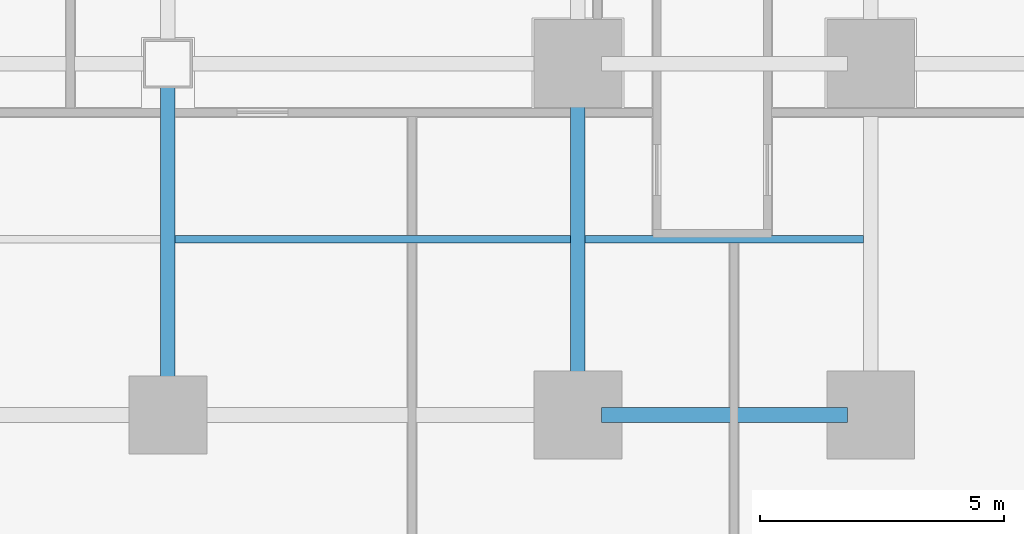
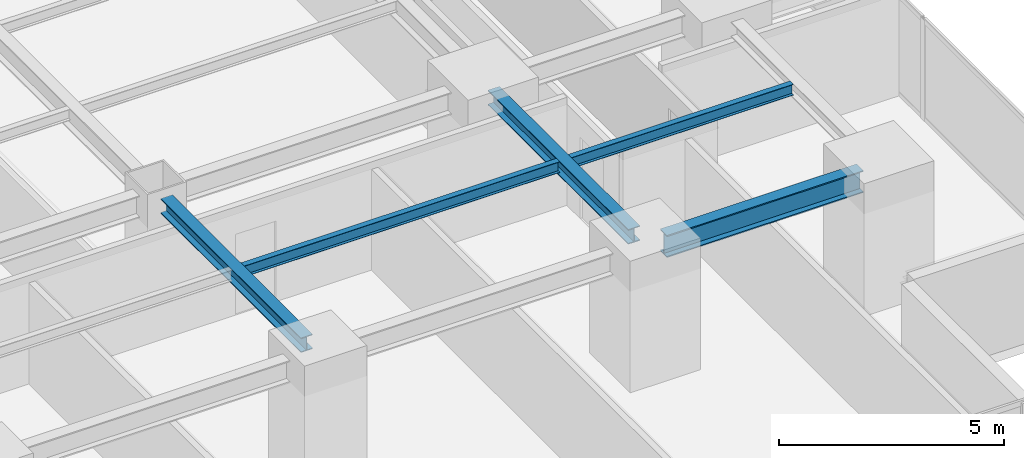
# One storey, part 12 of 34: 5 beams.
"""IFC4 building model written with IfcOpenShell, lengths in metres."""

from ifc_helpers import new_model, si_unit, direction, frame, origin, origin_2d, place, context, subcontext, project, spatial, i_section, extrude, source, transform, mapped, material, material_profile, profile_set, type_object, element, save


model = new_model("IFC4")

# Units and contexts
model_context = context("Model", 3, precision=1e-05, world=origin(), true_north=direction((0.0, 1.0)))
body_context = subcontext(model_context, "Body", "Model", "MODEL_VIEW")
ifc_project = project(units=[si_unit("LENGTHUNIT", "METRE"), si_unit("AREAUNIT", "SQUARE_METRE"), si_unit("VOLUMEUNIT", "CUBIC_METRE"), si_unit("PLANEANGLEUNIT", "RADIAN"), si_unit("MASSUNIT", "GRAM", prefix="KILO")], contexts=[model_context])

# Site, building, storey
site_placement = place(None, origin())
site = spatial("IfcSite", under=ifc_project, at=site_placement, CompositionType="ELEMENT")
building_placement = place(site_placement, origin())
building = spatial("IfcBuilding", under=site, at=building_placement, Name="Sumidabori Civic Tower", CompositionType="ELEMENT")
storey_placement = place(building_placement, frame((0.0, 0.0, 56.0)))
storey = spatial("IfcBuildingStorey", under=building, at=storey_placement, Name="L14", CompositionType="ELEMENT", Elevation=56.0)

# Beams
ifc_material = material(Name="Steel SN490", Category="steel")
ifc_material_profile_1 = material_profile(ifc_material, i_section(OverallWidth=0.300048828125, OverallDepth=0.60009765625, WebThickness=0.015380859375, FlangeThickness=0.030029296875, at=origin_2d()), Name="HE 600 B")
ifc_profile_set_1 = profile_set([ifc_material_profile_1], Name="Steel SN490")
beam_type_1 = type_object("IfcBeamType", Name="BM-GIRD-600", PredefinedType="BEAM", material=ifc_profile_set_1)
shared_shape_1 = source(origin(), body_context, "Body", "SweptSolid", [
    extrude(i_section(OverallWidth=0.300048828125, OverallDepth=0.60009765625, WebThickness=0.015380859375, FlangeThickness=0.030029296875, at=origin_2d()), origin(), (0.0, 0.0, 1.0), 5.0400390625),
])
beam_1_placement = place(storey_placement, frame((17.280029296875, -18.0, 3.06005859375), z_axis=(1.0, 0.0, 0.0), x_axis=(0.0, 1.0, 0.0)))
element("IfcBeam", 1, at=beam_1_placement, inside=storey, type_object=beam_type_1, Name="Primary Girder L14 GX-06", PredefinedType="BEAM", context=body_context, shape_type="MappedRepresentation", body=[
    mapped(shared_shape_1, transform((0.0, 0.0, 0.0), x_axis=(1.0, 0.0, 0.0), y_axis=(0.0, 1.0, 0.0), z_axis=(0.0, 0.0, 1.0), scale=1.0)),
])
ifc_material_profile_2 = material_profile(ifc_material, i_section(OverallWidth=0.300048828125, OverallDepth=0.39990234375, WebThickness=0.013427734375, FlangeThickness=0.02392578125, at=origin_2d()), Name="HE 400 B")
ifc_profile_set_2 = profile_set([ifc_material_profile_2], Name="Steel SN490")
beam_type_2 = type_object("IfcBeamType", Name="BM-GIRD-400", PredefinedType="BEAM", material=ifc_profile_set_2)
shared_shape_2 = source(origin(), body_context, "Body", "SweptSolid", [
    extrude(i_section(OverallWidth=0.300048828125, OverallDepth=0.39990234375, WebThickness=0.013427734375, FlangeThickness=0.02392578125, at=origin_2d()), origin(), (0.0, 0.0, 1.0), 6.239990234375),
])
for number, where, z_axis, x_axis, name in (
    (2, (8.39990234375, -17.52001953125, 3.159912109375), (0.0, 1.0, 0.0), (-1.0, 0.0, 0.0), "Primary Girder L14 GY-33"),
    (3, (16.800048828125, -17.52001953125, 3.159912109375), (0.0, 1.0, 0.0), (-1.0, 0.0, 0.0), "Primary Girder L14 GY-35"),
):
    element("IfcBeam", number, at=place(storey_placement, frame(where, z_axis=z_axis, x_axis=x_axis)), inside=storey, type_object=beam_type_2, Name=name, PredefinedType="BEAM", context=body_context, shape_type="MappedRepresentation", body=[
        mapped(shared_shape_2, transform((0.0, 0.0, 0.0), x_axis=(1.0, 0.0, 0.0), y_axis=(0.0, 1.0, 0.0), z_axis=(0.0, 0.0, 1.0), scale=1.0)),
    ])
ifc_material_profile_3 = material_profile(ifc_material, i_section(OverallWidth=0.14990234375, OverallDepth=0.300048828125, WebThickness=0.007080078125, FlangeThickness=0.0107421875, at=origin_2d()), Name="IPE 300")
ifc_profile_set_3 = profile_set([ifc_material_profile_3], Name="Steel SN490")
beam_type_3 = type_object("IfcBeamType", Name="BM-JST-300", PredefinedType="JOIST", material=ifc_profile_set_3)
shared_shape_3 = source(origin(), body_context, "Body", "SweptSolid", [
    extrude(i_section(OverallWidth=0.14990234375, OverallDepth=0.300048828125, WebThickness=0.007080078125, FlangeThickness=0.0107421875, at=origin_2d()), origin(), (0.0, 0.0, 1.0), 5.699951171875),
])
beam_2_placement = place(storey_placement, frame((16.949951171875, -14.39990234375, 3.2099609375), z_axis=(1.0, 0.0, 0.0), x_axis=(0.0, 1.0, 0.0)))
element("IfcBeam", 4, at=beam_2_placement, inside=storey, type_object=beam_type_3, Name="Outer Bay Floor Joist L14 JSTO-58", PredefinedType="JOIST", context=body_context, shape_type="MappedRepresentation", body=[
    mapped(shared_shape_3, transform((0.0, 0.0, 0.0), x_axis=(1.0, 0.0, 0.0), y_axis=(0.0, 1.0, 0.0), z_axis=(0.0, 0.0, 1.0), scale=1.0)),
])
shared_shape_4 = source(origin(), body_context, "Body", "SweptSolid", [
    extrude(i_section(OverallWidth=0.14990234375, OverallDepth=0.300048828125, WebThickness=0.007080078125, FlangeThickness=0.0107421875, at=origin_2d()), origin(), (0.0, 0.0, 1.0), 8.099853515625),
])
beam_3_placement = place(storey_placement, frame((8.550048828125, -14.39990234375, 3.2099609375), z_axis=(1.0, 0.0, 0.0), x_axis=(0.0, 1.0, 0.0)))
element("IfcBeam", 5, at=beam_3_placement, inside=storey, type_object=beam_type_3, Name="South Bay Floor Joist L14 JSTS-64", PredefinedType="JOIST", context=body_context, shape_type="MappedRepresentation", body=[
    mapped(shared_shape_4, transform((0.0, 0.0, 0.0), x_axis=(1.0, 0.0, 0.0), y_axis=(0.0, 1.0, 0.0), z_axis=(0.0, 0.0, 1.0), scale=1.0)),
])

save(model, "model.ifc")
